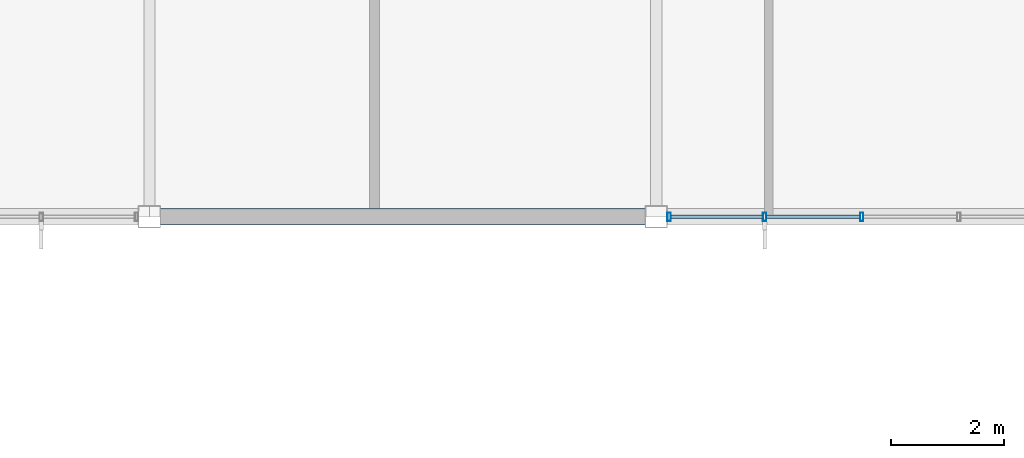
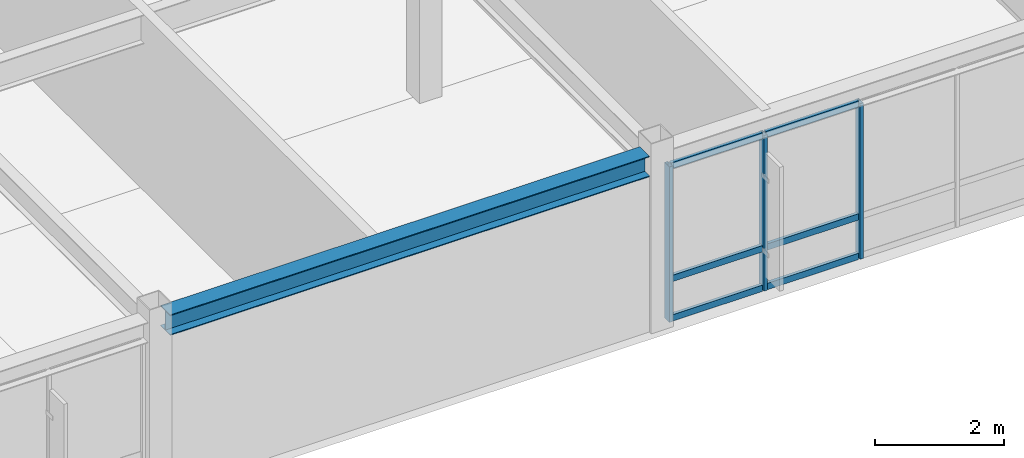
# One storey, part 8 of 34: 9 members, 1 beam, 1 element without a shape of its own.
"""IFC4 building model written with IfcOpenShell, lengths in metres."""

from ifc_helpers import new_model, si_unit, direction, frame, origin, origin_2d, place, context, subcontext, project, spatial, hollow_rectangle, i_section, extrude, material, material_profile, profile_set, type_object, element, aggregate, save


model = new_model("IFC4")

# Units and contexts
model_context = context("Model", 3, precision=1e-05, world=origin(), true_north=direction((0.0, 1.0)))
body_context = subcontext(model_context, "Body", "Model", "MODEL_VIEW")
ifc_project = project(units=[si_unit("LENGTHUNIT", "METRE"), si_unit("AREAUNIT", "SQUARE_METRE"), si_unit("VOLUMEUNIT", "CUBIC_METRE"), si_unit("PLANEANGLEUNIT", "RADIAN"), si_unit("MASSUNIT", "GRAM", prefix="KILO")], contexts=[model_context])

# Site, building, storey
site_placement = place(None, origin())
site = spatial("IfcSite", under=ifc_project, at=site_placement, CompositionType="ELEMENT")
building_placement = place(site_placement, origin())
building = spatial("IfcBuilding", under=site, at=building_placement, Name="Kazanami Central Library", CompositionType="ELEMENT")
storey_placement = place(building_placement, frame((0.0, 0.0, 17.0)))
storey = spatial("IfcBuildingStorey", under=building, at=storey_placement, Name="L05", CompositionType="ELEMENT", Elevation=17.0)

# Beam
ifc_material_1 = material(Name="Steel SN490B (325 MPa)", Category="steel")
ifc_material_profile_1 = material_profile(ifc_material_1, i_section(OverallWidth=0.300048828125, OverallDepth=0.389892578125, WebThickness=0.010009765625, FlangeThickness=0.01611328125, at=origin_2d()), Name="H-390x300x10x16")
ifc_profile_set_1 = profile_set([ifc_material_profile_1], Name="Steel SN490B (325 MPa)")
beam_type = type_object("IfcBeamType", Name="BM-SP-4", PredefinedType="SPANDREL", material=ifc_profile_set_1)
beam_placement = place(storey_placement, frame((18.197998046875, 64.800048828125, 3.14501953125), z_axis=(1.0, 0.0, 0.0), x_axis=(0.0, 1.0, 0.0)))
element("IfcBeam", 1, at=beam_placement, inside=storey, type_object=beam_type, Name="Girder SP-4 L05 K/3-4", PredefinedType="SPANDREL", context=body_context, shape_type="SweptSolid", body=[
    extrude(i_section(OverallWidth=0.300048828125, OverallDepth=0.389892578125, WebThickness=0.010009765625, FlangeThickness=0.01611328125, at=origin_2d()), origin(), (0.0, 0.0, 1.0), 8.60400390625),
])

# Curtain wall, members
ifc_material_2 = material(Name="Acid-Etched Low-E Laminated Glass", Category="glass")
curtain_wall_type = type_object("IfcCurtainWallType", Name="CW-8625x2950-M180", PredefinedType="USERDEFINED", material=ifc_material_2)
curtain_wall_placement = place(storey_placement, origin())
curtain_wall = element("IfcCurtainWall", 2, at=curtain_wall_placement, inside=storey, type_object=curtain_wall_type, Name="Unitised Curtain Wall CW-51 L05 S-K-03", ObjectType="UNITISED CURTAIN WALL", PredefinedType="USERDEFINED")
ifc_material_3 = material(Name="Anodised Aluminium A6063-T5", Category="aluminium")
ifc_material_profile_2 = material_profile(ifc_material_3, hollow_rectangle(XDim=0.06005859375, YDim=0.14990234375, WallThickness=0.00390625, at=origin_2d()), Name="ALU-MULL-60x150x4")
ifc_profile_set_2 = profile_set([ifc_material_profile_2], Name="Anodised Aluminium A6063-T5")
member_type_1 = type_object("IfcMemberType", Name="MEM-CW-M3", PredefinedType="MULLION", material=ifc_profile_set_2)
member_1_placement = place(storey_placement, frame((27.22998046875, 64.800048828125, 0.0), z_axis=(0.0, 0.0, 1.0), x_axis=(1.0, 0.0, 0.0)))
member_1 = element("IfcMember", 3, at=member_1_placement, type_object=member_type_1, Name="CW-51 mullion 1", PredefinedType="MULLION", context=body_context, shape_type="SweptSolid", body=[
    extrude(hollow_rectangle(XDim=0.06005859375, YDim=0.14990234375, WallThickness=0.00390625, at=origin_2d()), origin(), (0.0, 0.0, 1.0), 2.949951171875),
])
member_2_placement = place(storey_placement, frame((28.925048828125, 64.800048828125, 0.0), z_axis=(0.0, 0.0, 1.0), x_axis=(1.0, 0.0, 0.0)))
member_2 = element("IfcMember", 4, at=member_2_placement, type_object=member_type_1, Name="CW-51 mullion 2", PredefinedType="MULLION", context=body_context, shape_type="SweptSolid", body=[
    extrude(hollow_rectangle(XDim=0.06005859375, YDim=0.14990234375, WallThickness=0.00390625, at=origin_2d()), origin(), (0.0, 0.0, 1.0), 2.949951171875),
])
member_3_placement = place(storey_placement, frame((30.64990234375, 64.800048828125, 0.0), z_axis=(0.0, 0.0, 1.0), x_axis=(1.0, 0.0, 0.0)))
member_3 = element("IfcMember", 5, at=member_3_placement, type_object=member_type_1, Name="CW-51 mullion 3", PredefinedType="MULLION", context=body_context, shape_type="SweptSolid", body=[
    extrude(hollow_rectangle(XDim=0.06005859375, YDim=0.14990234375, WallThickness=0.00390625, at=origin_2d()), origin(), (0.0, 0.0, 1.0), 2.949951171875),
])
ifc_material_profile_3 = material_profile(ifc_material_3, hollow_rectangle(XDim=0.06005859375, YDim=0.1201171875, WallThickness=0.00341796875, at=origin_2d()), Name="ALU-TRAN-60x120x3.5")
ifc_profile_set_3 = profile_set([ifc_material_profile_3], Name="Anodised Aluminium A6063-T5")
member_type_2 = type_object("IfcMemberType", Name="MEM-CW-T3", PredefinedType="USERDEFINED", material=ifc_profile_set_3)
member_4_placement = place(storey_placement, frame((27.260009765625, 64.800048828125, 0.030029296875), z_axis=(1.0, 0.0, 0.0), x_axis=(0.0, 1.0, 0.0)))
member_4 = element("IfcMember", 6, at=member_4_placement, type_object=member_type_2, Name="CW-51 transom 1.1", ObjectType="TRANSOM", PredefinedType="USERDEFINED", context=body_context, shape_type="SweptSolid", body=[
    extrude(hollow_rectangle(XDim=0.06005859375, YDim=0.1201171875, WallThickness=0.00341796875, at=origin_2d()), origin(), (0.0, 0.0, 1.0), 1.635009765625),
])
member_5_placement = place(storey_placement, frame((27.260009765625, 64.800048828125, 0.780029296875), z_axis=(1.0, 0.0, 0.0), x_axis=(0.0, 1.0, 0.0)))
member_5 = element("IfcMember", 7, at=member_5_placement, type_object=member_type_2, Name="CW-51 transom 1.2", ObjectType="TRANSOM", PredefinedType="USERDEFINED", context=body_context, shape_type="SweptSolid", body=[
    extrude(hollow_rectangle(XDim=0.06005859375, YDim=0.1201171875, WallThickness=0.00341796875, at=origin_2d()), origin(), (0.0, 0.0, 1.0), 1.635009765625),
])
member_6_placement = place(storey_placement, frame((27.260009765625, 64.800048828125, 2.919921875), z_axis=(1.0, 0.0, 0.0), x_axis=(0.0, 1.0, 0.0)))
member_6 = element("IfcMember", 8, at=member_6_placement, type_object=member_type_2, Name="CW-51 transom 1.3", ObjectType="TRANSOM", PredefinedType="USERDEFINED", context=body_context, shape_type="SweptSolid", body=[
    extrude(hollow_rectangle(XDim=0.06005859375, YDim=0.1201171875, WallThickness=0.00341796875, at=origin_2d()), origin(), (0.0, 0.0, 1.0), 1.635009765625),
])
member_7_placement = place(storey_placement, frame((28.955078125, 64.800048828125, 0.030029296875), z_axis=(1.0, 0.0, 0.0), x_axis=(0.0, 1.0, 0.0)))
member_7 = element("IfcMember", 9, at=member_7_placement, type_object=member_type_2, Name="CW-51 transom 2.1", ObjectType="TRANSOM", PredefinedType="USERDEFINED", context=body_context, shape_type="SweptSolid", body=[
    extrude(hollow_rectangle(XDim=0.06005859375, YDim=0.1201171875, WallThickness=0.00341796875, at=origin_2d()), origin(), (0.0, 0.0, 1.0), 1.6650390625),
])
member_8_placement = place(storey_placement, frame((28.955078125, 64.800048828125, 0.780029296875), z_axis=(1.0, 0.0, 0.0), x_axis=(0.0, 1.0, 0.0)))
member_8 = element("IfcMember", 10, at=member_8_placement, type_object=member_type_2, Name="CW-51 transom 2.2", ObjectType="TRANSOM", PredefinedType="USERDEFINED", context=body_context, shape_type="SweptSolid", body=[
    extrude(hollow_rectangle(XDim=0.06005859375, YDim=0.1201171875, WallThickness=0.00341796875, at=origin_2d()), origin(), (0.0, 0.0, 1.0), 1.6650390625),
])
member_9_placement = place(storey_placement, frame((28.955078125, 64.800048828125, 2.919921875), z_axis=(1.0, 0.0, 0.0), x_axis=(0.0, 1.0, 0.0)))
member_9 = element("IfcMember", 11, at=member_9_placement, type_object=member_type_2, Name="CW-51 transom 2.3", ObjectType="TRANSOM", PredefinedType="USERDEFINED", context=body_context, shape_type="SweptSolid", body=[
    extrude(hollow_rectangle(XDim=0.06005859375, YDim=0.1201171875, WallThickness=0.00341796875, at=origin_2d()), origin(), (0.0, 0.0, 1.0), 1.6650390625),
])
aggregate(curtain_wall, [member_1, member_2, member_3, member_4, member_5, member_6, member_7, member_8, member_9])

save(model, "model.ifc")
